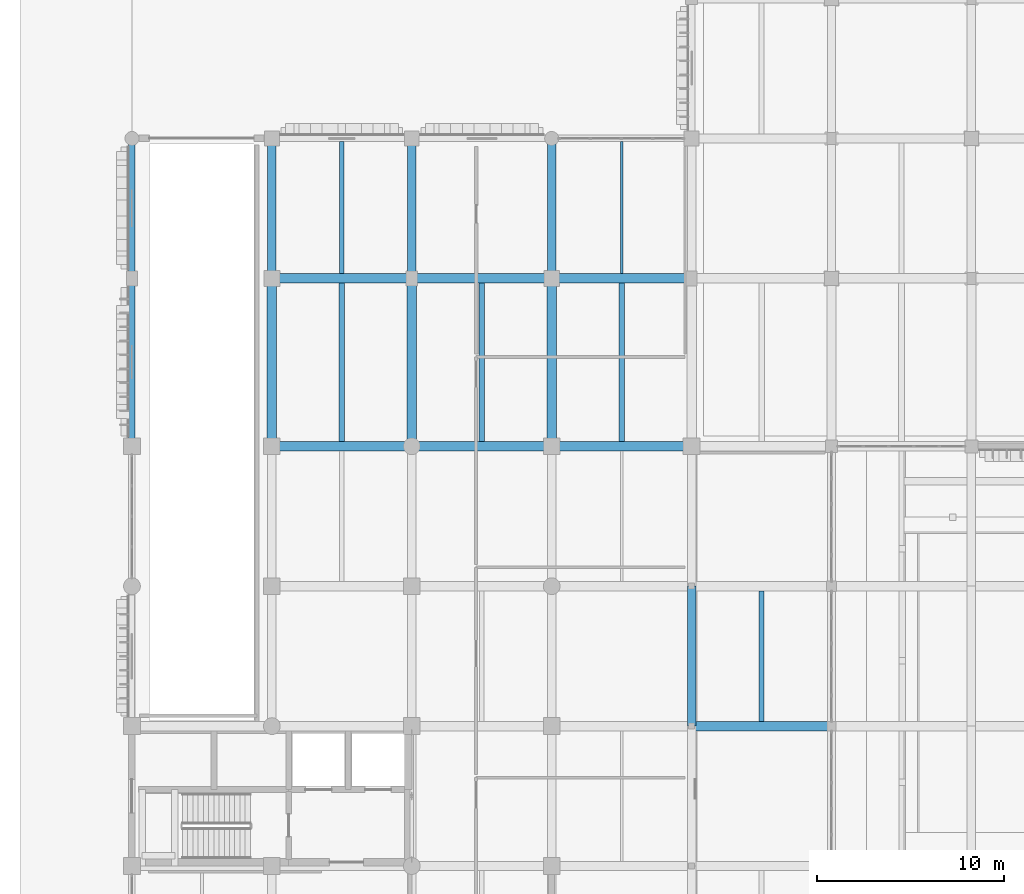
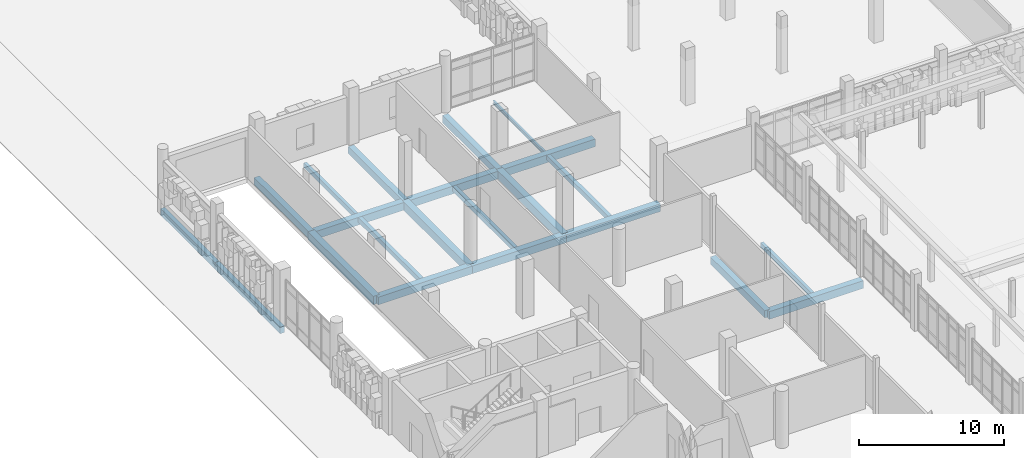
# One storey, part 40 of 125: 22 beams.
"""IFC4 building model written with IfcOpenShell, lengths in metres."""

from ifc_helpers import new_model, si_unit, direction, frame, origin, origin_2d, place, context, subcontext, project, spatial, rectangle, i_section, extrude, material, material_profile, profile_set, type_object, element, save


model = new_model("IFC4")

# Units and contexts
model_context = context("Model", 3, precision=1e-05, world=origin(), true_north=direction((0.0, 1.0)))
body_context = subcontext(model_context, "Body", "Model", "MODEL_VIEW")
ifc_project = project(units=[si_unit("LENGTHUNIT", "METRE"), si_unit("AREAUNIT", "SQUARE_METRE"), si_unit("VOLUMEUNIT", "CUBIC_METRE"), si_unit("PLANEANGLEUNIT", "RADIAN"), si_unit("MASSUNIT", "GRAM", prefix="KILO")], contexts=[model_context])

# Site, building, storey
site_placement = place(None, origin())
site = spatial("IfcSite", under=ifc_project, at=site_placement, CompositionType="ELEMENT")
building_placement = place(site_placement, origin())
building = spatial("IfcBuilding", under=site, at=building_placement, Name="Dalvernix Boulevard General Hospital", CompositionType="ELEMENT")
storey_placement = place(building_placement, origin())
storey = spatial("IfcBuildingStorey", under=building, at=storey_placement, Name="L00", CompositionType="ELEMENT", Elevation=0.0)

# Beams
ifc_material_1 = material(Name="Concrete C35/45", Category="concrete")
ifc_material_profile_1 = material_profile(ifc_material_1, rectangle(XDim=0.5, YDim=0.699951171875, at=origin_2d()), Name="RCB 500x700")
ifc_profile_set_1 = profile_set([ifc_material_profile_1], Name="Concrete C35/45")
beam_type_1 = type_object("IfcBeamType", Name="BM-B-01-I", PredefinedType="BEAM", material=ifc_profile_set_1)
for number, where, z_axis, x_axis, name in (
    (1, (7.5, 76.5, -0.7099609375), (0.0, 1.0, 0.0), (-1.0, 0.0, 0.0), "L00 N-S girder 2:L-M"),
    (2, (15.0, 76.5, -0.7099609375), (0.0, 1.0, 0.0), (-1.0, 0.0, 0.0), "L00 N-S girder 3:L-M"),
    (3, (22.5, 76.5, -0.7099609375), (0.0, 1.0, 0.0), (-1.0, 0.0, 0.0), "L00 N-S girder 4:L-M"),
):
    element("IfcBeam", number, at=place(storey_placement, frame(where, z_axis=z_axis, x_axis=x_axis)), inside=storey, type_object=beam_type_1, Name=name, PredefinedType="BEAM", context=body_context, shape_type="SweptSolid", body=[
        extrude(rectangle(XDim=0.5, YDim=0.699951171875, at=origin_2d()), origin(), (0.0, 0.0, 1.0), 9.0),
    ])
ifc_material_profile_2 = material_profile(ifc_material_1, rectangle(XDim=0.5, YDim=0.64990234375, at=origin_2d()), Name="RCB 500x650")
ifc_profile_set_2 = profile_set([ifc_material_profile_2], Name="Concrete C35/45")
beam_type_2 = type_object("IfcBeamType", Name="BM-B-02-I", PredefinedType="BEAM", material=ifc_profile_set_2)
for number, where, z_axis, x_axis, name in (
    (4, (30.0, 61.5, -0.68505859375), (1.0, 0.0, 0.0), (0.0, 1.0, 0.0), "L00 E-W girder J:5-6"),
    (5, (7.5, 76.5, -0.68505859375), (1.0, 0.0, 0.0), (0.0, 1.0, 0.0), "L00 E-W girder L:2-3"),
    (6, (15.0, 76.5, -0.68505859375), (1.0, 0.0, 0.0), (0.0, 1.0, 0.0), "L00 E-W girder L:3-4"),
    (7, (22.5, 76.5, -0.68505859375), (1.0, 0.0, 0.0), (0.0, 1.0, 0.0), "L00 E-W girder L:4-5"),
    (8, (7.5, 85.5, -0.68505859375), (1.0, 0.0, 0.0), (0.0, 1.0, 0.0), "L00 E-W girder M:2-3"),
    (9, (15.0, 85.5, -0.68505859375), (1.0, 0.0, 0.0), (0.0, 1.0, 0.0), "L00 E-W girder M:3-4"),
    (10, (22.5, 85.5, -0.68505859375), (1.0, 0.0, 0.0), (0.0, 1.0, 0.0), "L00 E-W girder M:4-5"),
):
    element("IfcBeam", number, at=place(storey_placement, frame(where, z_axis=z_axis, x_axis=x_axis)), inside=storey, type_object=beam_type_2, Name=name, PredefinedType="BEAM", context=body_context, shape_type="SweptSolid", body=[
        extrude(rectangle(XDim=0.5, YDim=0.64990234375, at=origin_2d()), origin(), (0.0, 0.0, 1.0), 7.5),
    ])
ifc_material_profile_3 = material_profile(ifc_material_1, rectangle(XDim=0.449951171875, YDim=0.60009765625, at=origin_2d()), Name="RCB 450x600")
ifc_profile_set_3 = profile_set([ifc_material_profile_3], Name="Concrete C35/45")
beam_type_3 = type_object("IfcBeamType", Name="BM-B-04-I", PredefinedType="BEAM", material=ifc_profile_set_3)
for number, where, z_axis, x_axis, name in (
    (11, (7.5, 85.5, -0.659912109375), (0.0, 1.0, 0.0), (-1.0, 0.0, 0.0), "L00 N-S girder 2:M-N"),
    (12, (15.0, 85.5, -0.659912109375), (0.0, 1.0, 0.0), (-1.0, 0.0, 0.0), "L00 N-S girder 3:M-N"),
    (13, (22.5, 85.5, -0.659912109375), (0.0, 1.0, 0.0), (-1.0, 0.0, 0.0), "L00 N-S girder 4:M-N"),
    (14, (30.0, 61.5, -0.659912109375), (0.0, 1.0, 0.0), (-1.0, 0.0, 0.0), "L00 N-S girder 5:J-K"),
):
    element("IfcBeam", number, at=place(storey_placement, frame(where, z_axis=z_axis, x_axis=x_axis)), inside=storey, type_object=beam_type_3, Name=name, PredefinedType="BEAM", context=body_context, shape_type="SweptSolid", body=[
        extrude(rectangle(XDim=0.449951171875, YDim=0.60009765625, at=origin_2d()), origin(), (0.0, 0.0, 1.0), 7.5),
    ])
ifc_material_profile_4 = material_profile(ifc_material_1, rectangle(XDim=0.300048828125, YDim=0.39990234375, at=origin_2d()), Name="RCB 300x400")
ifc_profile_set_4 = profile_set([ifc_material_profile_4], Name="Concrete C35/45")
beam_type_4 = type_object("IfcBeamType", Name="BM-JB-01", PredefinedType="JOIST", material=ifc_profile_set_4)
for number, where, z_axis, x_axis, name in (
    (15, (11.25, 76.75, -0.56005859375), (0.0, 1.0, 0.0), (-1.0, 0.0, 0.0), "L00 secondary floor beam 2-L"),
    (16, (18.75, 76.75, -0.56005859375), (0.0, 1.0, 0.0), (-1.0, 0.0, 0.0), "L00 secondary floor beam 3-L"),
    (17, (26.25, 76.75, -0.56005859375), (0.0, 1.0, 0.0), (-1.0, 0.0, 0.0), "L00 secondary floor beam 4-L"),
):
    element("IfcBeam", number, at=place(storey_placement, frame(where, z_axis=z_axis, x_axis=x_axis)), inside=storey, type_object=beam_type_4, Name=name, PredefinedType="JOIST", context=body_context, shape_type="SweptSolid", body=[
        extrude(rectangle(XDim=0.300048828125, YDim=0.39990234375, at=origin_2d()), origin(), (0.0, 0.0, 1.0), 8.5),
    ])
ifc_material_profile_5 = material_profile(ifc_material_1, rectangle(XDim=0.25, YDim=0.39990234375, at=origin_2d()), Name="RCB 250x400")
ifc_profile_set_5 = profile_set([ifc_material_profile_5], Name="Concrete C35/45")
beam_type_5 = type_object("IfcBeamType", Name="BM-JB-02", PredefinedType="JOIST", material=ifc_profile_set_5)
beam_1_placement = place(storey_placement, frame((11.25, 85.75, -0.56005859375), z_axis=(0.0, 1.0, 0.0), x_axis=(-1.0, 0.0, 0.0)))
element("IfcBeam", 18, at=beam_1_placement, inside=storey, type_object=beam_type_5, Name="L00 secondary floor beam 2-M", PredefinedType="JOIST", context=body_context, shape_type="SweptSolid", body=[
    extrude(rectangle(XDim=0.25, YDim=0.39990234375, at=origin_2d()), origin(), (0.0, 0.0, 1.0), 7.074951171875),
])
beam_2_placement = place(storey_placement, frame((33.75, 61.75, -0.56005859375), z_axis=(0.0, 1.0, 0.0), x_axis=(-1.0, 0.0, 0.0)))
element("IfcBeam", 19, at=beam_2_placement, inside=storey, type_object=beam_type_5, Name="L00 secondary floor beam 5-J", PredefinedType="JOIST", context=body_context, shape_type="SweptSolid", body=[
    extrude(rectangle(XDim=0.25, YDim=0.39990234375, at=origin_2d()), origin(), (0.0, 0.0, 1.0), 7.0),
])
ifc_material_2 = material(Name="Steel S355", Category="steel")
ifc_material_profile_6 = material_profile(ifc_material_2, i_section(OverallWidth=0.14990234375, OverallDepth=0.300048828125, WebThickness=0.007080078125, FlangeThickness=0.0107421875, FilletRadius=0.014892578125, at=origin_2d()), Name="IPE 300")
ifc_profile_set_6 = profile_set([ifc_material_profile_6], Name="Steel S355")
beam_type_6 = type_object("IfcBeamType", Name="BM-JB-03", PredefinedType="JOIST", material=ifc_profile_set_6)
beam_3_placement = place(storey_placement, frame((26.25, 85.75, -0.510009765625), z_axis=(0.0, 1.0, 0.0), x_axis=(-1.0, 0.0, 0.0)))
element("IfcBeam", 20, at=beam_3_placement, inside=storey, type_object=beam_type_6, Name="L00 secondary floor beam 4-M", PredefinedType="JOIST", context=body_context, shape_type="SweptSolid", body=[
    extrude(i_section(OverallWidth=0.14990234375, OverallDepth=0.300048828125, WebThickness=0.007080078125, FlangeThickness=0.0107421875, FilletRadius=0.014892578125, at=origin_2d()), origin(), (0.0, 0.0, 1.0), 7.074951171875),
])
ifc_material_profile_7 = material_profile(ifc_material_1, rectangle(XDim=0.35009765625, YDim=0.550048828125, at=origin_2d()), Name="RCB 350x550")
ifc_profile_set_7 = profile_set([ifc_material_profile_7], Name="Concrete C35/45")
beam_type_7 = type_object("IfcBeamType", Name="BM-SB-01-E", PredefinedType="SPANDREL", material=ifc_profile_set_7)
beam_4_placement = place(storey_placement, frame((0.0, 76.5, -0.635009765625), z_axis=(0.0, 1.0, 0.0), x_axis=(-1.0, 0.0, 0.0)))
element("IfcBeam", 21, at=beam_4_placement, inside=storey, type_object=beam_type_7, Name="L00 N-S girder 1:L-M", PredefinedType="SPANDREL", context=body_context, shape_type="SweptSolid", body=[
    extrude(rectangle(XDim=0.35009765625, YDim=0.550048828125, at=origin_2d()), origin(), (0.0, 0.0, 1.0), 9.0),
])
beam_5_placement = place(storey_placement, frame((0.0, 85.5, -0.635009765625), z_axis=(0.0, 1.0, 0.0), x_axis=(-1.0, 0.0, 0.0)))
element("IfcBeam", 22, at=beam_5_placement, inside=storey, type_object=beam_type_7, Name="L00 N-S girder 1:M-N", PredefinedType="SPANDREL", context=body_context, shape_type="SweptSolid", body=[
    extrude(rectangle(XDim=0.35009765625, YDim=0.550048828125, at=origin_2d()), origin(), (0.0, 0.0, 1.0), 7.5),
])

save(model, "model.ifc")
